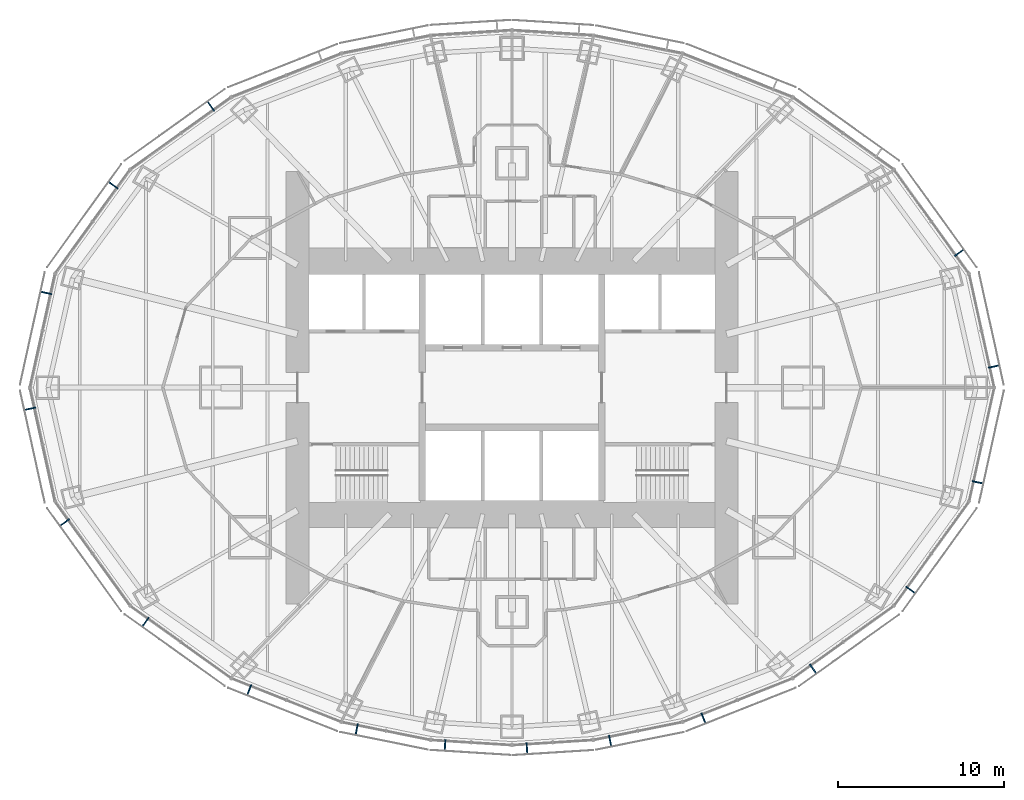
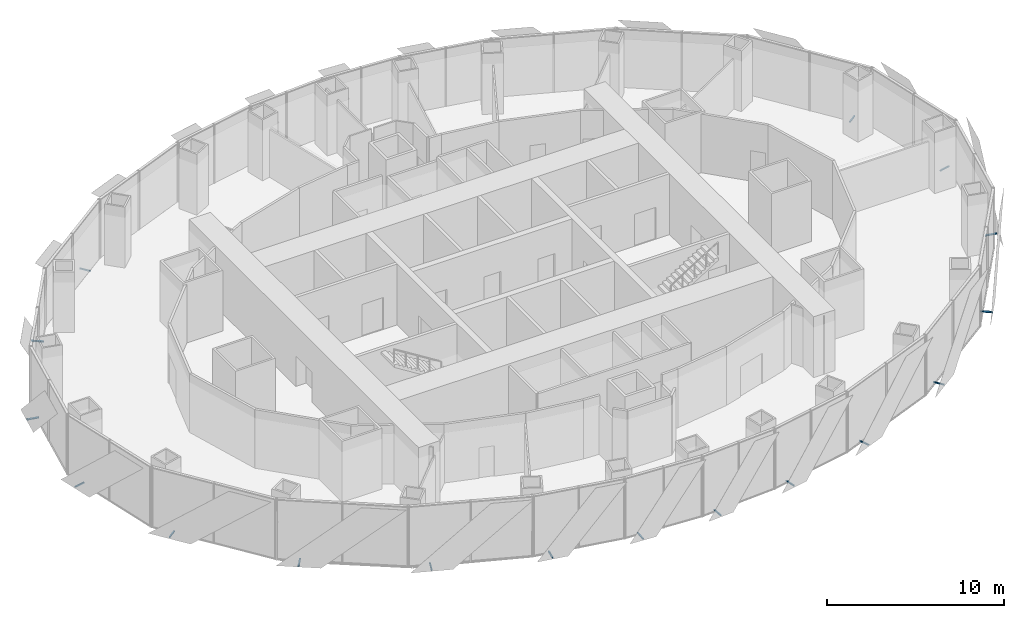
# One storey, part 14 of 18: 17 discrete accessories.
"""IFC4 building model written with IfcOpenShell, lengths in metres."""

import ifcopenshell
import ifcopenshell.guid

model = None  # the IFC model being written
_history = None  # IfcOwnerHistory: only IFC2X3 demands one
_inside = {}  # id of a spatial element -> (the spatial element, [elements in it])
_under = {}  # id of a project, library or spatial element -> (it, [spatial elements below it])
_declared = {}  # id of a project -> (the project, [libraries it declares])
_typed = {}  # id of a type object -> (the type object, [elements of that type])
_made_of = {}  # id of a material, layer set ... -> (it, [elements and type objects made of it])


def new_model(schema):
    """Start an empty IFC model of exactly this schema.

    Asked for "IFC4X3", IfcOpenShell would pick the latest addendum, in which some entities
    have other attributes; the version numbers below select the first issue.
    IFC2X3 requires an IfcOwnerHistory on every rooted entity: one is made here for all.
    """
    global model, _history
    if schema == "IFC4X3":
        model = ifcopenshell.file(schema_version=(4, 3, 0, 0))
    else:
        model = ifcopenshell.file(schema=schema)
    _inside.clear()
    _under.clear()
    _declared.clear()
    _typed.clear()
    _made_of.clear()
    _history = None
    if model.schema == "IFC2X3":
        org = make("IfcOrganization", Name="unknown")
        user = make(
            "IfcPersonAndOrganization",
            ThePerson=make("IfcPerson", FamilyName="unknown"),
            TheOrganization=org,
        )
        app = make(
            "IfcApplication",
            ApplicationDeveloper=org,
            Version="unknown",
            ApplicationFullName="unknown",
            ApplicationIdentifier="unknown",
        )
        _history = make(
            "IfcOwnerHistory",
            OwningUser=user,
            OwningApplication=app,
            ChangeAction="ADDED",
            CreationDate=0,
        )
    return model


def make(cls, **values):
    """One entity of the class cls with the attributes given. An attribute that is None is left unset."""
    return model.create_entity(
        cls, **{name: value for name, value in values.items() if value is not None}
    )


def rooted(cls, **values):
    """An entity with a GlobalId (a new one), such as an element, a storey or a relation."""
    return make(cls, GlobalId=ifcopenshell.guid.new(), OwnerHistory=_history, **values)


def si_unit(unit_type, name, prefix=None):
    """IfcSIUnit, for example si_unit("LENGTHUNIT", "METRE", prefix="MILLI")."""
    return make("IfcSIUnit", UnitType=unit_type, Prefix=prefix, Name=name)


def assignment(units):
    """IfcUnitAssignment: the units of a project."""
    return None if units is None else make("IfcUnitAssignment", Units=units)


def point(xyz):
    """IfcCartesianPoint."""
    return None if xyz is None else make("IfcCartesianPoint", Coordinates=xyz)


def direction(xyz):
    """IfcDirection."""
    return None if xyz is None else make("IfcDirection", DirectionRatios=xyz)


def frame(location, z_axis=None, x_axis=None):
    """IfcAxis2Placement3D, a coordinate frame: its origin and axes. An axis left out is left unset."""
    return make(
        "IfcAxis2Placement3D",
        Location=point(location),
        Axis=direction(z_axis),
        RefDirection=direction(x_axis),
    )


def frame_2d(location, x_axis=None):
    """IfcAxis2Placement2D, a coordinate frame in the plane: its origin and x axis."""
    return make(
        "IfcAxis2Placement2D", Location=point(location), RefDirection=direction(x_axis)
    )


def origin():
    """The frame at (0, 0, 0) with its axes left unset."""
    return frame((0.0, 0.0, 0.0))


def origin_2d():
    """The frame at (0, 0) in the plane with its x axis left unset."""
    return frame_2d((0.0, 0.0))


def place(relative_to, where):
    """IfcLocalPlacement: puts the frame where relative to a parent placement (None: the world)."""
    return make(
        "IfcLocalPlacement", PlacementRelTo=relative_to, RelativePlacement=where
    )


def context(
    kind, dimensions, precision=None, world=None, true_north=None, identifier=None
):
    """IfcGeometricRepresentationContext, for example the 3D "Model" context."""
    return make(
        "IfcGeometricRepresentationContext",
        ContextIdentifier=identifier,
        ContextType=kind,
        CoordinateSpaceDimension=dimensions,
        Precision=precision,
        WorldCoordinateSystem=world,
        TrueNorth=true_north,
    )


def subcontext(parent, identifier, kind, view, scale=None):
    """IfcGeometricRepresentationSubContext, for example "Body" below "Model"."""
    return make(
        "IfcGeometricRepresentationSubContext",
        ContextIdentifier=identifier,
        ContextType=kind,
        ParentContext=parent,
        TargetScale=scale,
        TargetView=view,
    )


def project(units=None, contexts=None):
    """IfcProject with its units and contexts."""
    return rooted(
        "IfcProject",
        Name="project",
        RepresentationContexts=contexts,
        UnitsInContext=assignment(units),
    )


def spatial(cls, under=None, at=None, **own):
    """A site, building, storey or space (cls), placed at a placement, below another one or the project."""
    s = rooted(cls, ObjectPlacement=at, **own)
    if under is not None:
        _under.setdefault(under.id(), (under, []))[1].append(s)
    return s


def profile(cls, at=None, kind="AREA", **sizes):
    """A parametric profile (cls). Its sizes go by their IFC names, for example OverallWidth=200.0."""
    return make(cls, ProfileType=kind, Position=at, **sizes)


def rectangle(**sizes):
    """IfcRectangleProfileDef."""
    return profile("IfcRectangleProfileDef", **sizes)


def extrude(swept, where, along, depth):
    """IfcExtrudedAreaSolid: the profile swept, set in the frame where, extruded along a direction by depth."""
    return make(
        "IfcExtrudedAreaSolid",
        SweptArea=swept,
        Position=where,
        ExtrudedDirection=direction(along),
        Depth=depth,
    )


def shape(context_of_items, identifier, shape_type, items):
    """IfcShapeRepresentation: the items that make up one representation, for example the "Body"."""
    return make(
        "IfcShapeRepresentation",
        ContextOfItems=context_of_items,
        RepresentationIdentifier=identifier,
        RepresentationType=shape_type,
        Items=items,
    )


def made_of(thing, what):
    """Note that an element or type object is made of a material, layer set ...; save() writes the relation."""
    if what is not None:
        _made_of.setdefault(what.id(), (what, []))[1].append(thing)
    return thing


def element(
    cls,
    number,
    at=None,
    inside=None,
    cuts=None,
    type_object=None,
    material=None,
    context=None,
    identifier="Body",
    shape_type=None,
    held_by="IfcProductDefinitionShape",
    body=None,
    shapes=None,
    **own,
):
    """One element of the class cls, such as IfcWall. Its Tag is "e" and its number.

    at: its placement. inside: the storey or other place that contains it. cuts: it is an
    opening in that element (IfcRelVoidsElement). A single representation is given by context,
    identifier, shape_type and body (its items); several are given by shapes. held_by: the class
    of the entity that holds the representations. save() writes the other relations.
    """
    e = rooted(cls, Tag="e%d" % number, ObjectPlacement=at, **own)
    if body is not None:
        shapes = [shape(context, identifier, shape_type, body)]
    if shapes is not None:
        e.Representation = make(held_by, Representations=shapes)
    if inside is not None:
        _inside.setdefault(inside.id(), (inside, []))[1].append(e)
    if cuts is not None:
        rooted(
            "IfcRelVoidsElement", RelatingBuildingElement=cuts, RelatedOpeningElement=e
        )
    if type_object is not None:
        _typed.setdefault(type_object.id(), (type_object, []))[1].append(e)
    return made_of(e, material)


def aggregate(whole, parts):
    """IfcRelAggregates: a whole, such as a stair, and the parts it consists of."""
    return rooted("IfcRelAggregates", RelatingObject=whole, RelatedObjects=parts)


def save(model, path):
    """Write the relations noted so far, then the file.

    IfcRelAggregates (storeys below a building ...), IfcRelContainedInSpatialStructure (elements
    in a storey), IfcRelDefinesByType, IfcRelAssociatesMaterial and IfcRelDeclares: one each for
    every whole, place, type object, material and project.
    """
    for whole, parts in _under.values():
        aggregate(whole, parts)
    for where, things in _inside.values():
        rooted(
            "IfcRelContainedInSpatialStructure",
            RelatedElements=things,
            RelatingStructure=where,
        )
    for kind, things in _typed.values():
        rooted("IfcRelDefinesByType", RelatedObjects=things, RelatingType=kind)
    for what, things in _made_of.values():
        rooted("IfcRelAssociatesMaterial", RelatedObjects=things, RelatingMaterial=what)
    for by, libraries in _declared.values():
        rooted("IfcRelDeclares", RelatingContext=by, RelatedDefinitions=libraries)
    model.write(path)


model = new_model("IFC4")

# Units and contexts
model_context = context("Model", 3, precision=1e-05, world=origin(), true_north=direction((0.0, 1.0)))
body_context = subcontext(model_context, "Body", "Model", "MODEL_VIEW")
ifc_project = project(units=[si_unit("LENGTHUNIT", "METRE"), si_unit("AREAUNIT", "SQUARE_METRE"), si_unit("VOLUMEUNIT", "CUBIC_METRE"), si_unit("PLANEANGLEUNIT", "RADIAN"), si_unit("MASSUNIT", "GRAM", prefix="KILO")], contexts=[model_context])

# Site, building, storey
site_placement = place(None, origin())
site = spatial("IfcSite", under=ifc_project, at=site_placement, CompositionType="ELEMENT")
building_placement = place(site_placement, origin())
building = spatial("IfcBuilding", under=site, at=building_placement, Name="Lantaw Convention Tower", CompositionType="ELEMENT")
storey_placement = place(building_placement, frame((0.0, 0.0, 184.60009765625)))
storey = spatial("IfcBuildingStorey", under=building, at=storey_placement, Name="L43", CompositionType="ELEMENT", Elevation=184.60009765625)

# Discrete accessories
for number, where, z_axis, x_axis, name in (
    (1, (28.98486328125, 1.269775390625, -0.115234375), (0.0, 0.0, 1.0), (-0.215546166174, 0.9764936509, 0.0), "Screen bracket"),
    (2, (26.900146484375, 8.111572265625, -0.115234375), (0.0, 0.0, 1.0), (-0.584512597221, 0.811384633629, 0.0), "Screen bracket"),
    (3, (-18.10791015625, 16.922607421875, -0.115234375), (0.0, 0.0, 1.0), (-0.813208325995, -0.581972695693, 0.0), "Screen bracket"),
    (4, (-23.9765625, 12.169677734375, -0.115234375), (0.0, 0.0, 1.0), (-0.584512597221, -0.811384633629, 0.0), "Screen bracket"),
    (5, (-28.008056640625, 5.6953125, -0.115234375), (0.0, 0.0, 1.0), (-0.215546166174, -0.9764936509, 0.0), "Screen bracket"),
    (6, (-28.98486328125, -1.269775390625, -0.115234375), (0.0, 0.0, 1.0), (0.215546166174, -0.9764936509, 0.0), "Screen bracket"),
    (7, (-26.900146484375, -8.111572265625, -0.115234375), (0.0, 0.0, 1.0), (0.584512597221, -0.811384633629, 0.0), "Screen bracket"),
    (8, (-22.044189453125, -14.10546875, -0.115234375), (0.0, 0.0, 1.0), (0.813208325995, -0.581972695693, 0.0), "Screen bracket"),
    (9, (-15.802978515625, -18.18798828125, -0.115234375), (0.0, 0.0, 1.0), (0.929547687544, -0.368701907483, 0.0), "Screen bracket"),
    (10, (-9.339599609375, -20.56005859375, -0.115234375), (0.0, 0.0, 1.0), (0.980301514912, -0.197506809659, 0.0), "Screen bracket"),
    (11, (-4.027099609375, -21.505859375, -0.115234375), (0.0, 0.0, 1.0), (0.998022035978, -0.062865059466, 0.0), "Screen bracket"),
    (12, (0.89794921875, -21.702880859375, -0.115234375), (0.0, 0.0, 1.0), (0.998022035978, 0.062865059466, 0.0), "Screen bracket"),
    (13, (5.903076171875, -21.25244140625, -0.115234375), (0.0, 0.0, 1.0), (0.980301514912, 0.197506809659, 0.0), "Screen bracket"),
    (14, (11.517822265625, -19.887939453125, -0.115234375), (0.0, 0.0, 1.0), (0.929547687544, 0.368701907483, 0.0), "Screen bracket"),
    (15, (18.10791015625, -16.922607421875, -0.115234375), (0.0, 0.0, 1.0), (0.813208325995, 0.581972695693, 0.0), "Screen bracket"),
    (16, (23.9765625, -12.169677734375, -0.115234375), (0.0, 0.0, 1.0), (0.584512597221, 0.811384633629, 0.0), "Screen bracket"),
    (17, (28.008056640625, -5.6953125, -0.115234375), (0.0, 0.0, 1.0), (0.215546166174, 0.9764936509, 0.0), "Screen bracket"),
):
    element("IfcDiscreteAccessory", number, at=place(storey_placement, frame(where, z_axis=z_axis, x_axis=x_axis)), inside=storey, Name=name, PredefinedType="BRACKET", context=body_context, shape_type="SweptSolid", body=[
        extrude(rectangle(XDim=0.080078125, YDim=0.68798828125, at=origin_2d()), origin(), (0.0, 0.0, 1.0), 0.080078125),
    ])

save(model, "model.ifc")
